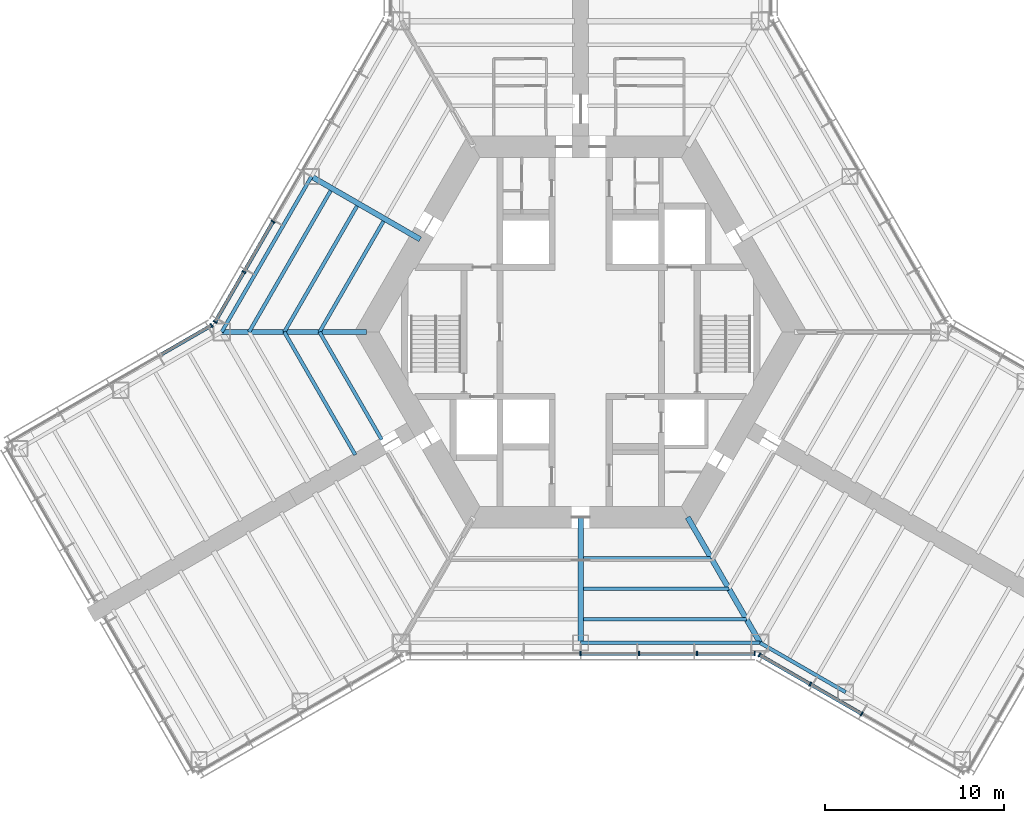
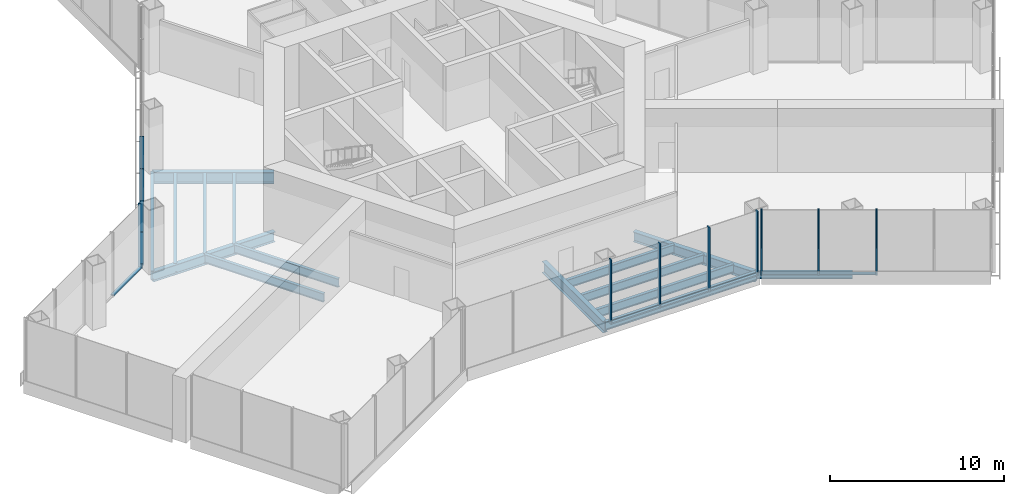
# One storey, part 3 of 13: 19 members, 15 beams, 4 elements without a shape of their own.
"""IFC4 building model written with IfcOpenShell, lengths in metres."""

from ifc_helpers import new_model, si_unit, direction, frame, origin, origin_2d, place, context, subcontext, project, spatial, rectangle, i_section, extrude, material, material_profile, profile_set, type_object, element, aggregate, save


model = new_model("IFC4")

# Units and contexts
model_context = context("Model", 3, precision=1e-05, world=origin(), true_north=direction((0.0, 1.0)))
body_context = subcontext(model_context, "Body", "Model", "MODEL_VIEW")
ifc_project = project(units=[si_unit("LENGTHUNIT", "METRE"), si_unit("AREAUNIT", "SQUARE_METRE"), si_unit("VOLUMEUNIT", "CUBIC_METRE"), si_unit("PLANEANGLEUNIT", "RADIAN"), si_unit("MASSUNIT", "GRAM", prefix="KILO")], contexts=[model_context])

# Site, building, storey
site_placement = place(None, origin())
site = spatial("IfcSite", under=ifc_project, at=site_placement, CompositionType="ELEMENT")
building_placement = place(site_placement, origin())
building = spatial("IfcBuilding", under=site, at=building_placement, Name="Kasaneha Research Tower", CompositionType="ELEMENT")
storey_placement = place(building_placement, frame((0.0, 0.0, 5.5)))
storey = spatial("IfcBuildingStorey", under=building, at=storey_placement, Name="L02", CompositionType="ELEMENT", Elevation=5.5)

# Beams
ifc_material_1 = material(Name="Steel SN490B", Category="steel")
ifc_material_profile_1 = material_profile(ifc_material_1, i_section(OverallWidth=0.199951171875, OverallDepth=0.60009765625, WebThickness=0.010986328125, FlangeThickness=0.01708984375, FilletRadius=0.012939453125, at=origin_2d()), Name="H-600x200x11x17")
ifc_profile_set_1 = profile_set([ifc_material_profile_1], Name="Steel SN490B")
beam_type_1 = type_object("IfcBeamType", Name="B1-1 secondary beam H-600x200x11x17", PredefinedType="JOIST", material=ifc_profile_set_1)
beam_1_placement = place(storey_placement, frame((-14.54931640625, 0.0, -0.5), z_axis=(0.500016104636, 0.866016105569, 0.0), x_axis=(-0.866016105569, 0.500016104636, 0.0)))
element("IfcBeam", 1, at=beam_1_placement, inside=storey, type_object=beam_type_1, Name="Secondary beam RS150R1 L02", PredefinedType="JOIST", context=body_context, shape_type="SweptSolid", body=[
    extrude(i_section(OverallWidth=0.199951171875, OverallDepth=0.60009765625, WebThickness=0.010986328125, FlangeThickness=0.01708984375, FilletRadius=0.012939453125, at=origin_2d()), origin(), (0.0, 0.0, 1.0), 7.124755859375),
])
beam_2_placement = place(storey_placement, frame((-16.51220703125, 0.0, -0.5), z_axis=(0.49999707157, 0.866027094508, 0.0), x_axis=(-0.866027094508, 0.49999707157, 0.0)))
element("IfcBeam", 2, at=beam_2_placement, inside=storey, type_object=beam_type_1, Name="Secondary beam RS150R2 L02", PredefinedType="JOIST", context=body_context, shape_type="SweptSolid", body=[
    extrude(i_section(OverallWidth=0.199951171875, OverallDepth=0.60009765625, WebThickness=0.010986328125, FlangeThickness=0.01708984375, FilletRadius=0.012939453125, at=origin_2d()), origin(), (0.0, 0.0, 1.0), 8.10595703125),
])
beam_3_placement = place(storey_placement, frame((-18.47509765625, 0.0, -0.5), z_axis=(0.499990665392, 0.866030793056, 0.0), x_axis=(-0.866030793056, 0.499990665392, 0.0)))
element("IfcBeam", 3, at=beam_3_placement, inside=storey, type_object=beam_type_1, Name="Secondary beam RS150R3 L02", PredefinedType="JOIST", context=body_context, shape_type="SweptSolid", body=[
    extrude(i_section(OverallWidth=0.199951171875, OverallDepth=0.60009765625, WebThickness=0.010986328125, FlangeThickness=0.01708984375, FilletRadius=0.012939453125, at=origin_2d()), origin(), (0.0, 0.0, 1.0), 9.087646484375),
])
beam_4_placement = place(storey_placement, frame((-14.54931640625, 0.0, -0.5), z_axis=(0.500014420154, -0.866017078145, 0.0), x_axis=(0.866017078145, 0.500014420154, 0.0)))
element("IfcBeam", 4, at=beam_4_placement, inside=storey, type_object=beam_type_1, Name="Secondary beam RS210L1 L02", PredefinedType="JOIST", context=body_context, shape_type="SweptSolid", body=[
    extrude(i_section(OverallWidth=0.199951171875, OverallDepth=0.60009765625, WebThickness=0.010986328125, FlangeThickness=0.01708984375, FilletRadius=0.012939453125, at=origin_2d()), origin(), (0.0, 0.0, 1.0), 6.924560546875),
])
beam_5_placement = place(storey_placement, frame((-16.51220703125, 0.0, -0.5), z_axis=(0.500004902938, -0.866022573054, 0.0), x_axis=(0.866022573054, 0.500004902938, 0.0)))
element("IfcBeam", 5, at=beam_5_placement, inside=storey, type_object=beam_type_1, Name="Secondary beam RS210L2 L02", PredefinedType="JOIST", context=body_context, shape_type="SweptSolid", body=[
    extrude(i_section(OverallWidth=0.199951171875, OverallDepth=0.60009765625, WebThickness=0.010986328125, FlangeThickness=0.01708984375, FilletRadius=0.012939453125, at=origin_2d()), origin(), (0.0, 0.0, 1.0), 7.90625),
])
beam_6_placement = place(storey_placement, frame((7.274658203125, -12.60009765625, -0.5), z_axis=(-1.0, 0.0, 0.0), x_axis=(0.0, -1.0, 0.0)))
element("IfcBeam", 6, at=beam_6_placement, inside=storey, type_object=beam_type_1, Name="Secondary beam RS270R1 L02", PredefinedType="JOIST", context=body_context, shape_type="SweptSolid", body=[
    extrude(i_section(OverallWidth=0.199951171875, OverallDepth=0.60009765625, WebThickness=0.010986328125, FlangeThickness=0.01708984375, FilletRadius=0.012939453125, at=origin_2d()), origin(), (0.0, 0.0, 1.0), 7.124755859375),
])
beam_7_placement = place(storey_placement, frame((8.256103515625, -14.300048828125, -0.5), z_axis=(-1.0, 0.0, 0.0), x_axis=(0.0, -1.0, 0.0)))
element("IfcBeam", 7, at=beam_7_placement, inside=storey, type_object=beam_type_1, Name="Secondary beam RS270R2 L02", PredefinedType="JOIST", context=body_context, shape_type="SweptSolid", body=[
    extrude(i_section(OverallWidth=0.199951171875, OverallDepth=0.60009765625, WebThickness=0.010986328125, FlangeThickness=0.01708984375, FilletRadius=0.012939453125, at=origin_2d()), origin(), (0.0, 0.0, 1.0), 8.106201171875),
])
beam_8_placement = place(storey_placement, frame((9.237548828125, -16.0, -0.5), z_axis=(-1.0, 0.0, 0.0), x_axis=(0.0, -1.0, 0.0)))
element("IfcBeam", 8, at=beam_8_placement, inside=storey, type_object=beam_type_1, Name="Secondary beam RS270R3 L02", PredefinedType="JOIST", context=body_context, shape_type="SweptSolid", body=[
    extrude(i_section(OverallWidth=0.199951171875, OverallDepth=0.60009765625, WebThickness=0.010986328125, FlangeThickness=0.01708984375, FilletRadius=0.012939453125, at=origin_2d()), origin(), (0.0, 0.0, 1.0), 9.087646484375),
])

# Curtain wall, members
ifc_material_2 = material(Name="Glass and aluminium", Category="aluminium")
curtain_wall_type = type_object("IfcCurtainWallType", Name="Entrance hall curtain wall", PredefinedType="USERDEFINED", material=ifc_material_2)
curtain_wall_1_placement = place(storey_placement, origin())
curtain_wall_1 = element("IfcCurtainWall", 9, at=curtain_wall_1_placement, inside=storey, type_object=curtain_wall_type, Name="CW-H L02 run 02a", ObjectType="UNITISED CURTAIN WALL", PredefinedType="USERDEFINED")
ifc_material_3 = material(Name="Aluminium 6063-T6", Category="aluminium")
ifc_material_profile_2 = material_profile(ifc_material_3, rectangle(XDim=0.080078125, YDim=0.25, at=origin_2d()), Name="CW-H mullion 80x250")
ifc_profile_set_2 = profile_set([ifc_material_profile_2], Name="Aluminium 6063-T6")
member_type_1 = type_object("IfcMemberType", Name="CW-H mullion", PredefinedType="MULLION", material=ifc_profile_set_2)
member_1_placement = place(storey_placement, frame((0.0, -17.92041015625, 0.0), z_axis=(0.0, 0.0, 1.0), x_axis=(1.0, 0.0, 0.0)))
member_1 = element("IfcMember", 10, at=member_1_placement, type_object=member_type_1, Name="CW-H mullion 4", PredefinedType="MULLION", context=body_context, shape_type="SweptSolid", body=[
    extrude(rectangle(XDim=0.080078125, YDim=0.25, at=origin_2d()), origin(), (0.0, 0.0, 1.0), 4.5),
])
member_2_placement = place(storey_placement, frame((3.246337890625, -17.92041015625, 0.0), z_axis=(0.0, 0.0, 1.0), x_axis=(1.0, 0.0, 0.0)))
member_2 = element("IfcMember", 11, at=member_2_placement, type_object=member_type_1, Name="CW-H mullion 5", PredefinedType="MULLION", context=body_context, shape_type="SweptSolid", body=[
    extrude(rectangle(XDim=0.080078125, YDim=0.25, at=origin_2d()), origin(), (0.0, 0.0, 1.0), 4.5),
])
member_3_placement = place(storey_placement, frame((6.492919921875, -17.92041015625, 0.0), z_axis=(0.0, 0.0, 1.0), x_axis=(1.0, 0.0, 0.0)))
member_3 = element("IfcMember", 12, at=member_3_placement, type_object=member_type_1, Name="CW-H mullion 6", PredefinedType="MULLION", context=body_context, shape_type="SweptSolid", body=[
    extrude(rectangle(XDim=0.080078125, YDim=0.25, at=origin_2d()), origin(), (0.0, 0.0, 1.0), 4.5),
])
member_4_placement = place(storey_placement, frame((9.69921875, -17.92041015625, 0.0), z_axis=(0.0, 0.0, 1.0), x_axis=(1.0, 0.0, 0.0)))
member_4 = element("IfcMember", 13, at=member_4_placement, type_object=member_type_1, Name="CW-H mullion 7", PredefinedType="MULLION", context=body_context, shape_type="SweptSolid", body=[
    extrude(rectangle(XDim=0.080078125, YDim=0.25, at=origin_2d()), origin(), (0.0, 0.0, 1.0), 4.5),
])

curtain_wall_2_placement = place(storey_placement, origin())
curtain_wall_2 = element("IfcCurtainWall", 14, at=curtain_wall_2_placement, inside=storey, type_object=curtain_wall_type, Name="CW-H L02 run 03a", ObjectType="UNITISED CURTAIN WALL", PredefinedType="USERDEFINED")
member_5_placement = place(storey_placement, frame((9.96044921875, -17.990478515625, 0.0), z_axis=(0.0, 0.0, 1.0), x_axis=(0.866025411464, -0.499999986699, 0.0)))
member_5 = element("IfcMember", 15, at=member_5_placement, type_object=member_type_1, Name="CW-H mullion 1", PredefinedType="MULLION", context=body_context, shape_type="SweptSolid", body=[
    extrude(rectangle(XDim=0.080078125, YDim=0.25, at=origin_2d()), origin(), (0.0, 0.0, 1.0), 4.5),
])
member_6_placement = place(storey_placement, frame((12.792236328125, -19.62548828125, 0.0), z_axis=(0.0, 0.0, 1.0), x_axis=(0.866025411464, -0.499999986699, 0.0)))
member_6 = element("IfcMember", 16, at=member_6_placement, type_object=member_type_1, Name="CW-H mullion 2", PredefinedType="MULLION", context=body_context, shape_type="SweptSolid", body=[
    extrude(rectangle(XDim=0.080078125, YDim=0.25, at=origin_2d()), origin(), (0.0, 0.0, 1.0), 4.5),
])
member_7_placement = place(storey_placement, frame((15.65869140625, -21.2802734375, 0.0), z_axis=(0.0, 0.0, 1.0), x_axis=(0.866025411464, -0.499999986699, 0.0)))
member_7 = element("IfcMember", 17, at=member_7_placement, type_object=member_type_1, Name="CW-H mullion 3", PredefinedType="MULLION", context=body_context, shape_type="SweptSolid", body=[
    extrude(rectangle(XDim=0.080078125, YDim=0.25, at=origin_2d()), origin(), (0.0, 0.0, 1.0), 4.5),
])

curtain_wall_3_placement = place(storey_placement, origin())
curtain_wall_3 = element("IfcCurtainWall", 18, at=curtain_wall_3_placement, inside=storey, type_object=curtain_wall_type, Name="CW-H L02 run 12a", ObjectType="UNITISED CURTAIN WALL", PredefinedType="USERDEFINED")
member_8_placement = place(storey_placement, frame((-17.142822265625, 6.148681640625, 0.0), z_axis=(0.0, 0.0, 1.0), x_axis=(-0.49999996188, -0.866025425793, 0.0)))
member_8 = element("IfcMember", 19, at=member_8_placement, type_object=member_type_1, Name="CW-H mullion 5", PredefinedType="MULLION", context=body_context, shape_type="SweptSolid", body=[
    extrude(rectangle(XDim=0.080078125, YDim=0.25, at=origin_2d()), origin(), (0.0, 0.0, 1.0), 4.5),
])
member_9_placement = place(storey_placement, frame((-18.76611328125, 3.33740234375, 0.0), z_axis=(0.0, 0.0, 1.0), x_axis=(-0.49999996188, -0.866025425793, 0.0)))
member_9 = element("IfcMember", 20, at=member_9_placement, type_object=member_type_1, Name="CW-H mullion 6", PredefinedType="MULLION", context=body_context, shape_type="SweptSolid", body=[
    extrude(rectangle(XDim=0.080078125, YDim=0.25, at=origin_2d()), origin(), (0.0, 0.0, 1.0), 4.5),
])
member_10_placement = place(storey_placement, frame((-20.369140625, 0.560546875, 0.0), z_axis=(0.0, 0.0, 1.0), x_axis=(-0.49999996188, -0.866025425793, 0.0)))
member_10 = element("IfcMember", 21, at=member_10_placement, type_object=member_type_1, Name="CW-H mullion 7", PredefinedType="MULLION", context=body_context, shape_type="SweptSolid", body=[
    extrude(rectangle(XDim=0.080078125, YDim=0.25, at=origin_2d()), origin(), (0.0, 0.0, 1.0), 4.5),
])

# Curtain wall, member
curtain_wall_4_placement = place(storey_placement, origin())
curtain_wall_4 = element("IfcCurtainWall", 22, at=curtain_wall_4_placement, inside=storey, type_object=curtain_wall_type, Name="CW-H L02 run 13a", ObjectType="UNITISED CURTAIN WALL", PredefinedType="USERDEFINED")
member_11_placement = place(storey_placement, frame((-20.560546875, 0.369140625, 0.0), z_axis=(0.0, 0.0, 1.0), x_axis=(-0.866025411464, -0.499999986699, 0.0)))
member_11 = element("IfcMember", 23, at=member_11_placement, type_object=member_type_1, Name="CW-H mullion 1", PredefinedType="MULLION", context=body_context, shape_type="SweptSolid", body=[
    extrude(rectangle(XDim=0.080078125, YDim=0.25, at=origin_2d()), origin(), (0.0, 0.0, 1.0), 4.5),
])

# Member
ifc_material_4 = material(Name="Aluminium 6063-T6", Category="aluminium")
ifc_material_profile_3 = material_profile(ifc_material_4, rectangle(XDim=0.199951171875, YDim=0.080078125, at=origin_2d()), Name="CW-H transom 200x80")
ifc_profile_set_3 = profile_set([ifc_material_profile_3], Name="Aluminium 6063-T6")
member_type_2 = type_object("IfcMemberType", Name="CW-H transom", PredefinedType="USERDEFINED", material=ifc_profile_set_3)
member_12_placement = place(storey_placement, frame((0.0400390625, -17.92041015625, 0.0400390625), z_axis=(1.0, 0.0, 0.0), x_axis=(0.0, 1.0, 0.0)))
member_12 = element("IfcMember", 24, at=member_12_placement, type_object=member_type_2, Name="CW-H transom 4", ObjectType="TRANSOM", PredefinedType="USERDEFINED", context=body_context, shape_type="SweptSolid", body=[
    extrude(rectangle(XDim=0.199951171875, YDim=0.080078125, at=origin_2d()), origin(), (0.0, 0.0, 1.0), 3.166259765625),
])

member_13_placement = place(storey_placement, frame((3.286376953125, -17.92041015625, 0.0400390625), z_axis=(1.0, 0.0, 0.0), x_axis=(0.0, 1.0, 0.0)))
member_13 = element("IfcMember", 25, at=member_13_placement, type_object=member_type_2, Name="CW-H transom 5", ObjectType="TRANSOM", PredefinedType="USERDEFINED", context=body_context, shape_type="SweptSolid", body=[
    extrude(rectangle(XDim=0.199951171875, YDim=0.080078125, at=origin_2d()), origin(), (0.0, 0.0, 1.0), 3.16650390625),
])

member_14_placement = place(storey_placement, frame((6.53271484375, -17.92041015625, 0.0400390625), z_axis=(1.0, 0.0, 0.0), x_axis=(0.0, 1.0, 0.0)))
member_14 = element("IfcMember", 26, at=member_14_placement, type_object=member_type_2, Name="CW-H transom 6", ObjectType="TRANSOM", PredefinedType="USERDEFINED", context=body_context, shape_type="SweptSolid", body=[
    extrude(rectangle(XDim=0.199951171875, YDim=0.080078125, at=origin_2d()), origin(), (0.0, 0.0, 1.0), 3.12646484375),
])

aggregate(curtain_wall_1, [member_1, member_2, member_3, member_4, member_12, member_13, member_14])

member_15_placement = place(storey_placement, frame((9.9951171875, -18.010498046875, 0.0400390625), z_axis=(0.866016067539, -0.500016170502, 0.0), x_axis=(0.500016170502, 0.866016067539, 0.0)))
member_15 = element("IfcMember", 27, at=member_15_placement, type_object=member_type_2, Name="CW-H transom 1", ObjectType="TRANSOM", PredefinedType="USERDEFINED", context=body_context, shape_type="SweptSolid", body=[
    extrude(rectangle(XDim=0.199951171875, YDim=0.080078125, at=origin_2d()), origin(), (0.0, 0.0, 1.0), 3.18994140625),
])

member_16_placement = place(storey_placement, frame((12.826904296875, -19.6455078125, 0.0400390625), z_axis=(0.866048381815, -0.499960198771, 0.0), x_axis=(0.499960198771, 0.866048381815, 0.0)))
member_16 = element("IfcMember", 28, at=member_16_placement, type_object=member_type_2, Name="CW-H transom 2", ObjectType="TRANSOM", PredefinedType="USERDEFINED", context=body_context, shape_type="SweptSolid", body=[
    extrude(rectangle(XDim=0.199951171875, YDim=0.080078125, at=origin_2d()), origin(), (0.0, 0.0, 1.0), 3.229736328125),
])

aggregate(curtain_wall_2, [member_5, member_6, member_7, member_15, member_16])

member_17_placement = place(storey_placement, frame((-17.162841796875, 6.1142578125, 0.0400390625), z_axis=(-0.499978282948, -0.866037941767, 0.0), x_axis=(0.866037941767, -0.499978282948, 0.0)))
member_17 = element("IfcMember", 29, at=member_17_placement, type_object=member_type_2, Name="CW-H transom 5", ObjectType="TRANSOM", PredefinedType="USERDEFINED", context=body_context, shape_type="SweptSolid", body=[
    extrude(rectangle(XDim=0.199951171875, YDim=0.080078125, at=origin_2d()), origin(), (0.0, 0.0, 1.0), 3.166748046875),
])

member_18_placement = place(storey_placement, frame((-18.7861328125, 3.302734375, 0.0400390625), z_axis=(-0.499952294954, -0.866052944554, 0.0), x_axis=(0.866052944554, -0.499952294954, 0.0)))
member_18 = element("IfcMember", 30, at=member_18_placement, type_object=member_type_2, Name="CW-H transom 6", ObjectType="TRANSOM", PredefinedType="USERDEFINED", context=body_context, shape_type="SweptSolid", body=[
    extrude(rectangle(XDim=0.199951171875, YDim=0.080078125, at=origin_2d()), origin(), (0.0, 0.0, 1.0), 3.126220703125),
])

aggregate(curtain_wall_3, [member_8, member_9, member_10, member_17, member_18])

member_19_placement = place(storey_placement, frame((-20.59521484375, 0.34912109375, 0.0400390625), z_axis=(-0.866049209109, -0.499958765701, 0.0), x_axis=(0.499958765701, -0.866049209109, 0.0)))
member_19 = element("IfcMember", 31, at=member_19_placement, type_object=member_type_2, Name="CW-H transom 1", ObjectType="TRANSOM", PredefinedType="USERDEFINED", context=body_context, shape_type="SweptSolid", body=[
    extrude(rectangle(XDim=0.199951171875, YDim=0.080078125, at=origin_2d()), origin(), (0.0, 0.0, 1.0), 3.189697265625),
])

aggregate(curtain_wall_4, [member_11, member_19])

# Beams
ifc_material_5 = material(Name="Steel SN490B", Category="steel")
ifc_material_profile_4 = material_profile(ifc_material_5, i_section(OverallWidth=0.300048828125, OverallDepth=0.699951171875, WebThickness=0.012939453125, FlangeThickness=0.02392578125, FilletRadius=0.01806640625, at=origin_2d()), Name="H-700x300x13x24")
ifc_profile_set_4 = profile_set([ifc_material_profile_4], Name="Steel SN490B")
beam_type_2 = type_object("IfcBeamType", Name="G1-1 radial girder H-700x300x13x24", PredefinedType="BEAM", material=ifc_profile_set_4)
beam_9_placement = place(storey_placement, frame((-11.92236328125, 0.0, -0.550048828125), z_axis=(-1.0, 0.0, 0.0), x_axis=(0.0, -1.0, 0.0)))
element("IfcBeam", 32, at=beam_9_placement, inside=storey, type_object=beam_type_2, Name="Radial girder RV180 L02", PredefinedType="BEAM", context=body_context, shape_type="SweptSolid", body=[
    extrude(i_section(OverallWidth=0.300048828125, OverallDepth=0.699951171875, WebThickness=0.012939453125, FlangeThickness=0.02392578125, FilletRadius=0.01806640625, at=origin_2d()), origin(), (0.0, 0.0, 1.0), 8.07763671875),
])
beam_10_placement = place(storey_placement, frame((5.961181640625, -10.324951171875, -0.550048828125), z_axis=(0.49999105496, -0.866030568144, 0.0), x_axis=(0.866030568144, 0.49999105496, 0.0)))
element("IfcBeam", 33, at=beam_10_placement, inside=storey, type_object=beam_type_2, Name="Radial girder RV300 L02", PredefinedType="BEAM", context=body_context, shape_type="SweptSolid", body=[
    extrude(i_section(OverallWidth=0.300048828125, OverallDepth=0.699951171875, WebThickness=0.012939453125, FlangeThickness=0.02392578125, FilletRadius=0.01806640625, at=origin_2d()), origin(), (0.0, 0.0, 1.0), 8.077880859375),
])
ifc_material_6 = material(Name="Steel SN490B", Category="steel")
ifc_material_profile_5 = material_profile(ifc_material_6, i_section(OverallWidth=0.300048828125, OverallDepth=0.800048828125, WebThickness=0.013916015625, FlangeThickness=0.02587890625, FilletRadius=0.01806640625, at=origin_2d()), Name="H-800x300x14x26")
ifc_profile_set_5 = profile_set([ifc_material_profile_5], Name="Steel SN490B")
beam_type_3 = type_object("IfcBeamType", Name="G2-1 radial girder H-800x300x14x26", PredefinedType="BEAM", material=ifc_profile_set_5)
beam_11_placement = place(storey_placement, frame((-8.941650390625, 5.16259765625, -0.60009765625), z_axis=(-0.866039713508, 0.499975214012, 0.0), x_axis=(-0.499975214012, -0.866039713508, 0.0)))
element("IfcBeam", 34, at=beam_11_placement, inside=storey, type_object=beam_type_3, Name="Radial girder RM150 L02", PredefinedType="BEAM", context=body_context, shape_type="SweptSolid", body=[
    extrude(i_section(OverallWidth=0.300048828125, OverallDepth=0.800048828125, WebThickness=0.013916015625, FlangeThickness=0.02587890625, FilletRadius=0.01806640625, at=origin_2d()), origin(), (0.0, 0.0, 1.0), 6.995361328125),
])
beam_12_placement = place(storey_placement, frame((0.0, -10.324951171875, -0.60009765625), z_axis=(0.0, -1.0, 0.0), x_axis=(1.0, 0.0, 0.0)))
element("IfcBeam", 35, at=beam_12_placement, inside=storey, type_object=beam_type_3, Name="Radial girder RM270 L02", PredefinedType="BEAM", context=body_context, shape_type="SweptSolid", body=[
    extrude(i_section(OverallWidth=0.300048828125, OverallDepth=0.800048828125, WebThickness=0.013916015625, FlangeThickness=0.02587890625, FilletRadius=0.01806640625, at=origin_2d()), origin(), (0.0, 0.0, 1.0), 6.99560546875),
])
ifc_material_7 = material(Name="Steel SN490B", Category="steel")
ifc_material_profile_6 = material_profile(ifc_material_7, i_section(OverallWidth=0.199951171875, OverallDepth=0.60009765625, WebThickness=0.010986328125, FlangeThickness=0.01708984375, FilletRadius=0.012939453125, at=origin_2d()), Name="H-600x200x11x17")
ifc_profile_set_6 = profile_set([ifc_material_profile_6], Name="Steel SN490B")
beam_type_4 = type_object("IfcBeamType", Name="SB1-1 spandrel beam H-600x200x11x17", PredefinedType="SPANDREL", material=ifc_profile_set_6)
for number, where, z_axis, x_axis, name in (
    (36, (-20.0, 0.0, -0.5), (0.500004234368, 0.866022959057, 0.0), (-0.866022959057, 0.500004234368, 0.0), "Spandrel beam SR150R L02"),
    (37, (10.0, -17.320556640625, -0.5), (-1.0, 0.0, 0.0), (0.0, -1.0, 0.0), "Spandrel beam SR270R L02"),
):
    element("IfcBeam", number, at=place(storey_placement, frame(where, z_axis=z_axis, x_axis=x_axis)), inside=storey, type_object=beam_type_4, Name=name, PredefinedType="SPANDREL", context=body_context, shape_type="SweptSolid", body=[
        extrude(i_section(OverallWidth=0.199951171875, OverallDepth=0.60009765625, WebThickness=0.010986328125, FlangeThickness=0.01708984375, FilletRadius=0.012939453125, at=origin_2d()), origin(), (0.0, 0.0, 1.0), 10.0),
    ])
ifc_material_8 = material(Name="Steel SN490B", Category="steel")
ifc_material_profile_7 = material_profile(ifc_material_8, i_section(OverallWidth=0.199951171875, OverallDepth=0.5, WebThickness=0.010009765625, FlangeThickness=0.01611328125, FilletRadius=0.012939453125, at=origin_2d()), Name="H-500x200x10x16")
ifc_profile_set_7 = profile_set([ifc_material_profile_7], Name="Steel SN490B")
beam_type_5 = type_object("IfcBeamType", Name="SB2-1 spandrel beam H-500x200x10x16", PredefinedType="SPANDREL", material=ifc_profile_set_7)
beam_13_placement = place(storey_placement, frame((10.0, -17.320556640625, -0.449951171875), z_axis=(0.866027397988, -0.499996545922, 0.0), x_axis=(0.499996545922, 0.866027397988, 0.0)))
element("IfcBeam", 38, at=beam_13_placement, inside=storey, type_object=beam_type_5, Name="Spandrel beam WSCP1 L02", PredefinedType="SPANDREL", context=body_context, shape_type="SweptSolid", body=[
    extrude(i_section(OverallWidth=0.199951171875, OverallDepth=0.5, WebThickness=0.010009765625, FlangeThickness=0.01611328125, FilletRadius=0.012939453125, at=origin_2d()), origin(), (0.0, 0.0, 1.0), 5.5),
])

save(model, "model.ifc")
